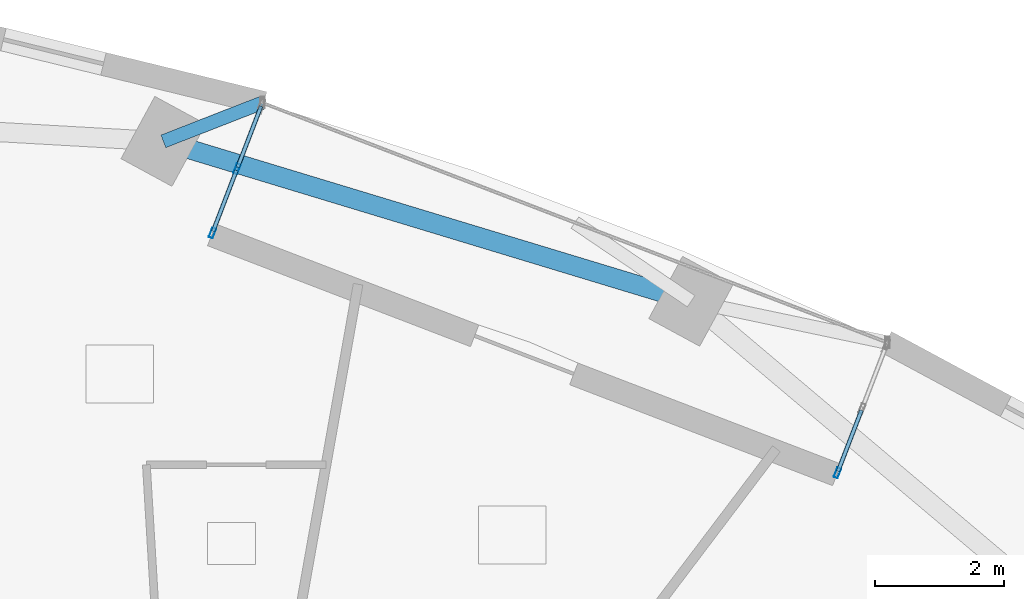
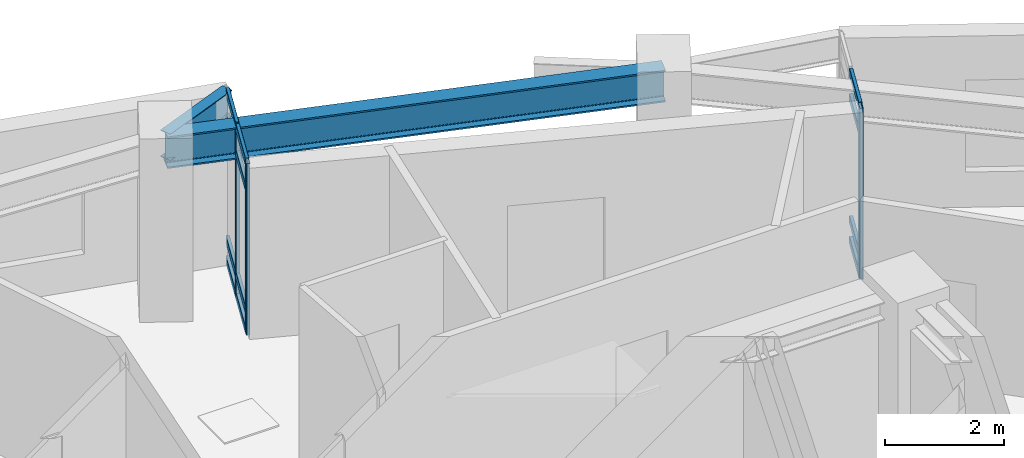
# One storey, part 2 of 12: 15 members, 2 beams, 2 elements without a shape of their own.
"""IFC4 building model written with IfcOpenShell, lengths in metres."""

from ifc_helpers import new_model, si_unit, direction, frame, origin, origin_2d, place, context, subcontext, project, spatial, hollow_rectangle, i_section, extrude, material, layer, layer_set, material_profile, profile_set, type_object, element, aggregate, save


model = new_model("IFC4")

# Units and contexts
model_context = context("Model", 3, precision=1e-05, world=origin(), true_north=direction((0.0, 1.0)))
body_context = subcontext(model_context, "Body", "Model", "MODEL_VIEW")
ifc_project = project(units=[si_unit("LENGTHUNIT", "METRE"), si_unit("AREAUNIT", "SQUARE_METRE"), si_unit("VOLUMEUNIT", "CUBIC_METRE"), si_unit("PLANEANGLEUNIT", "RADIAN"), si_unit("MASSUNIT", "GRAM", prefix="KILO")], contexts=[model_context])

# Site, building, storey
site_placement = place(None, origin())
site = spatial("IfcSite", under=ifc_project, at=site_placement, CompositionType="ELEMENT")
building_placement = place(site_placement, origin())
building = spatial("IfcBuilding", under=site, at=building_placement, Name="Ndelora Gate Hotel", CompositionType="ELEMENT")
storey_placement = place(building_placement, frame((0.0, 0.0, 153.5)))
storey = spatial("IfcBuildingStorey", under=building, at=storey_placement, Name="L38", CompositionType="ELEMENT", Elevation=153.5)

# Beams
ifc_material_1 = material(Name="Steel S355", Category="steel")
ifc_material_profile_1 = material_profile(ifc_material_1, i_section(OverallWidth=0.2099609375, OverallDepth=0.550048828125, WebThickness=0.010986328125, FlangeThickness=0.01708984375, FilletRadius=0.02392578125, at=origin_2d()), Name="IPE 550")
ifc_profile_set_1 = profile_set([ifc_material_profile_1], Name="Steel S355")
beam_type_1 = type_object("IfcBeamType", Name="BM-RAD-550", PredefinedType="BEAM", material=ifc_profile_set_1)
beam_1_placement = place(storey_placement, frame((-0.439208984375, 16.7744140625, 3.22509765625), z_axis=(0.931482386127, 0.363786426815, 0.0), x_axis=(-0.363786426815, 0.931482386127, 0.0)))
element("IfcBeam", 1, at=beam_1_placement, inside=storey, type_object=beam_type_1, Name="L38 Sky-Garden Loggia Column Bracket 3", PredefinedType="BEAM", context=body_context, shape_type="SweptSolid", body=[
    extrude(i_section(OverallWidth=0.2099609375, OverallDepth=0.550048828125, WebThickness=0.010986328125, FlangeThickness=0.01708984375, FilletRadius=0.02392578125, at=origin_2d()), origin(), (0.0, 0.0, 1.0), 1.65234375),
])
ifc_material_profile_2 = material_profile(ifc_material_1, i_section(OverallWidth=0.300048828125, OverallDepth=0.64990234375, WebThickness=0.01611328125, FlangeThickness=0.031005859375, FilletRadius=0.027099609375, at=origin_2d()), Name="HEB 650")
ifc_profile_set_2 = profile_set([ifc_material_profile_2], Name="Steel S355")
beam_type_2 = type_object("IfcBeamType", Name="BM-RING-650", PredefinedType="SPANDREL", material=ifc_profile_set_2)
beam_2_placement = place(storey_placement, frame((7.759033203125, 14.290283203125, 3.175048828125), z_axis=(-0.957030396662, 0.289987620192, 0.0), x_axis=(-0.289987620192, -0.957030396662, 0.0)))
element("IfcBeam", 2, at=beam_2_placement, inside=storey, type_object=beam_type_2, Name="L38 Perimeter Spandrel Girder 11", PredefinedType="SPANDREL", context=body_context, shape_type="SweptSolid", body=[
    extrude(i_section(OverallWidth=0.300048828125, OverallDepth=0.64990234375, WebThickness=0.01611328125, FlangeThickness=0.031005859375, FilletRadius=0.027099609375, at=origin_2d()), origin(), (0.0, 0.0, 1.0), 8.56640625),
])

# Curtain wall, member
ifc_material_2 = material(Name="Bronze Anodised Unitised Aluminium and Low-E Glass", Category="aluminium")
ifc_layer = layer(ifc_material_2, 0.199951171875)
ifc_layer_set = layer_set([ifc_layer], Name="Bronze Anodised Unitised Aluminium and Low-E Glass")
curtain_wall_type = type_object("IfcCurtainWallType", Name="CW-SYS-3", PredefinedType="NOTDEFINED", material=ifc_layer_set)
curtain_wall_1_placement = place(storey_placement, origin())
curtain_wall_1 = element("IfcCurtainWall", 3, at=curtain_wall_1_placement, inside=storey, type_object=curtain_wall_type, Name="L38 Sky-Garden Loggia Side Curtain Wall CW3-1", PredefinedType="NOTDEFINED")
ifc_material_3 = material(Name="Bronze Anodised Aluminium 6063-T6", Category="aluminium")
ifc_material_profile_3 = material_profile(ifc_material_3, hollow_rectangle(XDim=0.06494140625, YDim=0.159912109375, WallThickness=0.00390625, InnerFilletRadius=0.00390625, OuterFilletRadius=0.008056640625, at=origin_2d()), Name="ALU 160x65x4")
ifc_profile_set_3 = profile_set([ifc_material_profile_3], Name="Bronze Anodised Aluminium 6063-T6")
member_type_1 = type_object("IfcMemberType", Name="MB-CW-MUL150", PredefinedType="MULLION", material=ifc_profile_set_3)
member_1_placement = place(storey_placement, frame((10.0322265625, 11.625, -0.00390625), z_axis=(0.0, 0.0, 1.0), x_axis=(-0.93358321574, 0.358360683234, 0.0)))
member_1 = element("IfcMember", 4, at=member_1_placement, type_object=member_type_1, Name="CW3 mullion 1", PredefinedType="MULLION", context=body_context, shape_type="SweptSolid", body=[
    extrude(hollow_rectangle(XDim=0.06494140625, YDim=0.159912109375, WallThickness=0.00390625, InnerFilletRadius=0.00390625, OuterFilletRadius=0.008056640625, at=origin_2d()), origin(), (0.0, 0.0, 1.0), 3.5078125),
])

# Curtain wall, members
curtain_wall_2_placement = place(storey_placement, origin())
curtain_wall_2 = element("IfcCurtainWall", 5, at=curtain_wall_2_placement, inside=storey, type_object=curtain_wall_type, Name="L38 Sky-Garden Loggia Side Curtain Wall CW3-2", PredefinedType="NOTDEFINED")
member_2_placement = place(storey_placement, frame((0.705810546875, 16.3486328125, -0.00390625), z_axis=(0.0, 0.0, 1.0), x_axis=(0.933577378035, -0.35837589096, 0.0)))
member_2 = element("IfcMember", 6, at=member_2_placement, type_object=member_type_1, Name="CW3 mullion 2", PredefinedType="MULLION", context=body_context, shape_type="SweptSolid", body=[
    extrude(hollow_rectangle(XDim=0.06494140625, YDim=0.159912109375, WallThickness=0.00390625, InnerFilletRadius=0.00390625, OuterFilletRadius=0.008056640625, at=origin_2d()), origin(), (0.0, 0.0, 1.0), 3.5078125),
])
member_3_placement = place(storey_placement, frame((0.3232421875, 15.35205078125, -0.00390625), z_axis=(0.0, 0.0, 1.0), x_axis=(0.933577378035, -0.35837589096, 0.0)))
member_3 = element("IfcMember", 7, at=member_3_placement, type_object=member_type_1, Name="CW3 mullion 3", PredefinedType="MULLION", context=body_context, shape_type="SweptSolid", body=[
    extrude(hollow_rectangle(XDim=0.06494140625, YDim=0.159912109375, WallThickness=0.00390625, InnerFilletRadius=0.00390625, OuterFilletRadius=0.008056640625, at=origin_2d()), origin(), (0.0, 0.0, 1.0), 3.5078125),
])

# Member
ifc_material_profile_4 = material_profile(ifc_material_3, hollow_rectangle(XDim=0.06494140625, YDim=0.159912109375, WallThickness=0.00390625, InnerFilletRadius=0.00390625, OuterFilletRadius=0.008056640625, at=origin_2d()), Name="ALU 160x65x4")
ifc_profile_set_4 = profile_set([ifc_material_profile_4], Name="Bronze Anodised Aluminium 6063-T6")
member_type_2 = type_object("IfcMemberType", Name="MB-CW-TRN150", PredefinedType="USERDEFINED", material=ifc_profile_set_4)
member_4_placement = place(storey_placement, frame((10.041748046875, 11.649658203125, 0.032470703125), z_axis=(0.358495348874, 0.933531512503, 0.0), x_axis=(-0.933531512503, 0.358495348874, 0.0)))
member_4 = element("IfcMember", 8, at=member_4_placement, type_object=member_type_2, Name="CW3 transom 1.1", ObjectType="TRANSOM", PredefinedType="USERDEFINED", context=body_context, shape_type="SweptSolid", body=[
    extrude(hollow_rectangle(XDim=0.06494140625, YDim=0.159912109375, WallThickness=0.00390625, InnerFilletRadius=0.00390625, OuterFilletRadius=0.008056640625, at=origin_2d()), origin(), (0.0, 0.0, 1.0), 1.0146484375),
])

member_5_placement = place(storey_placement, frame((10.041748046875, 11.649658203125, 0.449951171875), z_axis=(0.358495348874, 0.933531512503, 0.0), x_axis=(-0.933531512503, 0.358495348874, 0.0)))
member_5 = element("IfcMember", 9, at=member_5_placement, type_object=member_type_2, Name="CW3 transom 1.2", ObjectType="TRANSOM", PredefinedType="USERDEFINED", context=body_context, shape_type="SweptSolid", body=[
    extrude(hollow_rectangle(XDim=0.06494140625, YDim=0.159912109375, WallThickness=0.00390625, InnerFilletRadius=0.00390625, OuterFilletRadius=0.008056640625, at=origin_2d()), origin(), (0.0, 0.0, 1.0), 1.0146484375),
])

member_6_placement = place(storey_placement, frame((10.041748046875, 11.649658203125, 2.949951171875), z_axis=(0.358495348874, 0.933531512503, 0.0), x_axis=(-0.933531512503, 0.358495348874, 0.0)))
member_6 = element("IfcMember", 10, at=member_6_placement, type_object=member_type_2, Name="CW3 transom 1.3", ObjectType="TRANSOM", PredefinedType="USERDEFINED", context=body_context, shape_type="SweptSolid", body=[
    extrude(hollow_rectangle(XDim=0.06494140625, YDim=0.159912109375, WallThickness=0.00390625, InnerFilletRadius=0.00390625, OuterFilletRadius=0.008056640625, at=origin_2d()), origin(), (0.0, 0.0, 1.0), 1.0146484375),
])

member_7_placement = place(storey_placement, frame((10.041748046875, 11.649658203125, 3.467529296875), z_axis=(0.358495348874, 0.933531512503, 0.0), x_axis=(-0.933531512503, 0.358495348874, 0.0)))
member_7 = element("IfcMember", 11, at=member_7_placement, type_object=member_type_2, Name="CW3 transom 1.4", ObjectType="TRANSOM", PredefinedType="USERDEFINED", context=body_context, shape_type="SweptSolid", body=[
    extrude(hollow_rectangle(XDim=0.06494140625, YDim=0.159912109375, WallThickness=0.00390625, InnerFilletRadius=0.00390625, OuterFilletRadius=0.008056640625, at=origin_2d()), origin(), (0.0, 0.0, 1.0), 1.0146484375),
])

aggregate(curtain_wall_1, [member_1, member_4, member_5, member_6, member_7])

member_8_placement = place(storey_placement, frame((1.078857421875, 17.3203125, 0.032470703125), z_axis=(-0.358575886741, -0.933500580315, 0.0), x_axis=(0.933500580315, -0.358575886741, 0.0)))
member_8 = element("IfcMember", 12, at=member_8_placement, type_object=member_type_2, Name="CW3 transom 1.1", ObjectType="TRANSOM", PredefinedType="USERDEFINED", context=body_context, shape_type="SweptSolid", body=[
    extrude(hollow_rectangle(XDim=0.06494140625, YDim=0.159912109375, WallThickness=0.00390625, InnerFilletRadius=0.00390625, OuterFilletRadius=0.008056640625, at=origin_2d()), origin(), (0.0, 0.0, 1.0), 1.014404296875),
])

member_9_placement = place(storey_placement, frame((1.078857421875, 17.3203125, 0.449951171875), z_axis=(-0.358575886741, -0.933500580315, 0.0), x_axis=(0.933500580315, -0.358575886741, 0.0)))
member_9 = element("IfcMember", 13, at=member_9_placement, type_object=member_type_2, Name="CW3 transom 1.2", ObjectType="TRANSOM", PredefinedType="USERDEFINED", context=body_context, shape_type="SweptSolid", body=[
    extrude(hollow_rectangle(XDim=0.06494140625, YDim=0.159912109375, WallThickness=0.00390625, InnerFilletRadius=0.00390625, OuterFilletRadius=0.008056640625, at=origin_2d()), origin(), (0.0, 0.0, 1.0), 1.014404296875),
])

member_10_placement = place(storey_placement, frame((1.078857421875, 17.3203125, 2.949951171875), z_axis=(-0.358575886741, -0.933500580315, 0.0), x_axis=(0.933500580315, -0.358575886741, 0.0)))
member_10 = element("IfcMember", 14, at=member_10_placement, type_object=member_type_2, Name="CW3 transom 1.3", ObjectType="TRANSOM", PredefinedType="USERDEFINED", context=body_context, shape_type="SweptSolid", body=[
    extrude(hollow_rectangle(XDim=0.06494140625, YDim=0.159912109375, WallThickness=0.00390625, InnerFilletRadius=0.00390625, OuterFilletRadius=0.008056640625, at=origin_2d()), origin(), (0.0, 0.0, 1.0), 1.014404296875),
])

member_11_placement = place(storey_placement, frame((1.078857421875, 17.3203125, 3.467529296875), z_axis=(-0.358575886741, -0.933500580315, 0.0), x_axis=(0.933500580315, -0.358575886741, 0.0)))
member_11 = element("IfcMember", 15, at=member_11_placement, type_object=member_type_2, Name="CW3 transom 1.4", ObjectType="TRANSOM", PredefinedType="USERDEFINED", context=body_context, shape_type="SweptSolid", body=[
    extrude(hollow_rectangle(XDim=0.06494140625, YDim=0.159912109375, WallThickness=0.00390625, InnerFilletRadius=0.00390625, OuterFilletRadius=0.008056640625, at=origin_2d()), origin(), (0.0, 0.0, 1.0), 1.014404296875),
])

member_12_placement = place(storey_placement, frame((0.6962890625, 16.323974609375, 0.032470703125), z_axis=(-0.358285642609, -0.933612017007, 0.0), x_axis=(0.933612017007, -0.358285642609, 0.0)))
member_12 = element("IfcMember", 16, at=member_12_placement, type_object=member_type_2, Name="CW3 transom 2.1", ObjectType="TRANSOM", PredefinedType="USERDEFINED", context=body_context, shape_type="SweptSolid", body=[
    extrude(hollow_rectangle(XDim=0.06494140625, YDim=0.159912109375, WallThickness=0.00390625, InnerFilletRadius=0.00390625, OuterFilletRadius=0.008056640625, at=origin_2d()), origin(), (0.0, 0.0, 1.0), 1.0146484375),
])

member_13_placement = place(storey_placement, frame((0.6962890625, 16.323974609375, 0.449951171875), z_axis=(-0.358285642609, -0.933612017007, 0.0), x_axis=(0.933612017007, -0.358285642609, 0.0)))
member_13 = element("IfcMember", 17, at=member_13_placement, type_object=member_type_2, Name="CW3 transom 2.2", ObjectType="TRANSOM", PredefinedType="USERDEFINED", context=body_context, shape_type="SweptSolid", body=[
    extrude(hollow_rectangle(XDim=0.06494140625, YDim=0.159912109375, WallThickness=0.00390625, InnerFilletRadius=0.00390625, OuterFilletRadius=0.008056640625, at=origin_2d()), origin(), (0.0, 0.0, 1.0), 1.0146484375),
])

member_14_placement = place(storey_placement, frame((0.6962890625, 16.323974609375, 2.949951171875), z_axis=(-0.358285642609, -0.933612017007, 0.0), x_axis=(0.933612017007, -0.358285642609, 0.0)))
member_14 = element("IfcMember", 18, at=member_14_placement, type_object=member_type_2, Name="CW3 transom 2.3", ObjectType="TRANSOM", PredefinedType="USERDEFINED", context=body_context, shape_type="SweptSolid", body=[
    extrude(hollow_rectangle(XDim=0.06494140625, YDim=0.159912109375, WallThickness=0.00390625, InnerFilletRadius=0.00390625, OuterFilletRadius=0.008056640625, at=origin_2d()), origin(), (0.0, 0.0, 1.0), 1.0146484375),
])

member_15_placement = place(storey_placement, frame((0.6962890625, 16.323974609375, 3.467529296875), z_axis=(-0.358285642609, -0.933612017007, 0.0), x_axis=(0.933612017007, -0.358285642609, 0.0)))
member_15 = element("IfcMember", 19, at=member_15_placement, type_object=member_type_2, Name="CW3 transom 2.4", ObjectType="TRANSOM", PredefinedType="USERDEFINED", context=body_context, shape_type="SweptSolid", body=[
    extrude(hollow_rectangle(XDim=0.06494140625, YDim=0.159912109375, WallThickness=0.00390625, InnerFilletRadius=0.00390625, OuterFilletRadius=0.008056640625, at=origin_2d()), origin(), (0.0, 0.0, 1.0), 1.0146484375),
])

aggregate(curtain_wall_2, [member_2, member_3, member_8, member_9, member_10, member_11, member_12, member_13, member_14, member_15])

save(model, "model.ifc")
